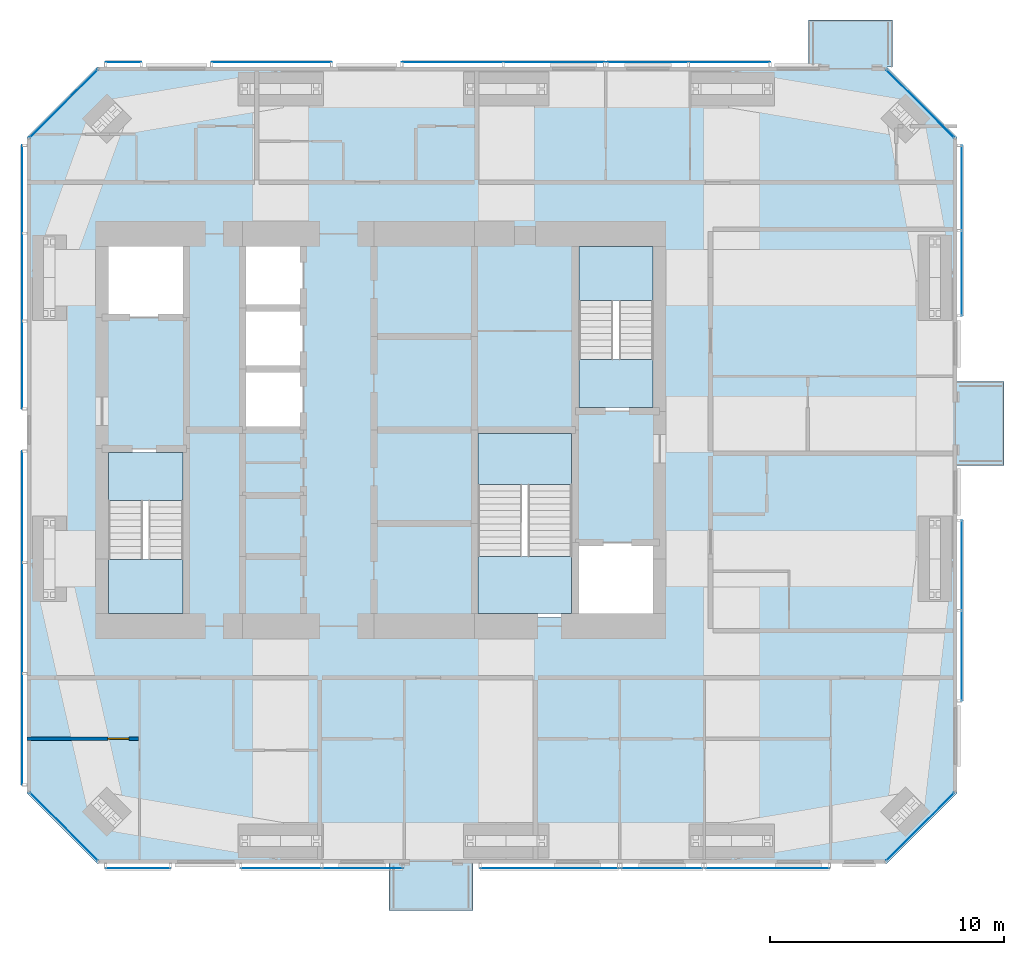
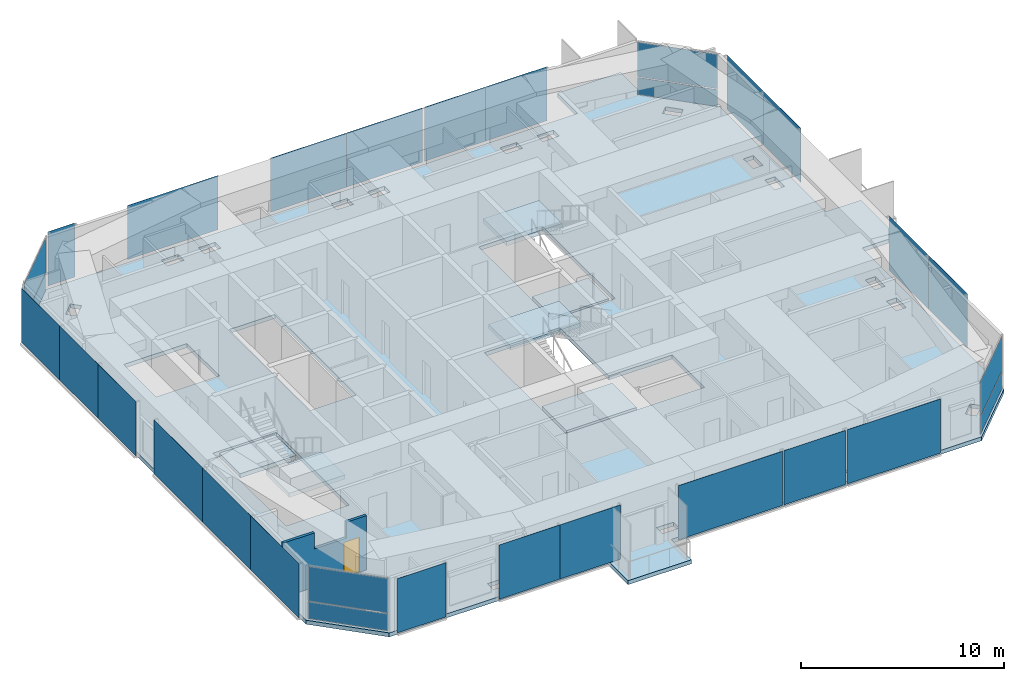
# One storey, part 11 of 18: 30 plates, 7 slabs, 1 door, 1 wall, 1 opening, 20 elements without a shape of their own.
"""IFC4 building model written with IfcOpenShell, lengths in metres."""

from ifc_helpers import new_model, si_unit, direction, frame, frame_2d, origin, origin_2d, place, context, subcontext, project, spatial, polyline, rectangle, outline, extrude, material, layer, layer_set, constituent, constituent_set, type_object, element, fill, aggregate, save


model = new_model("IFC4")

# Units and contexts
model_context = context("Model", 3, precision=1e-05, world=origin(), true_north=direction((0.0, 1.0)))
body_context = subcontext(model_context, "Body", "Model", "MODEL_VIEW")
ifc_project = project(units=[si_unit("LENGTHUNIT", "METRE"), si_unit("AREAUNIT", "SQUARE_METRE"), si_unit("VOLUMEUNIT", "CUBIC_METRE"), si_unit("PLANEANGLEUNIT", "RADIAN"), si_unit("MASSUNIT", "GRAM", prefix="KILO")], contexts=[model_context])

# Site, building, storey
site_placement = place(None, origin())
site = spatial("IfcSite", under=ifc_project, at=site_placement, CompositionType="ELEMENT")
building_placement = place(site_placement, origin())
building = spatial("IfcBuilding", under=site, at=building_placement, Name="Jalousie Tower", CompositionType="ELEMENT")
storey_placement = place(building_placement, frame((0.0, 0.0, 231.949951171875)))
storey = spatial("IfcBuildingStorey", under=building, at=storey_placement, Name="L63", CompositionType="ELEMENT", Elevation=231.949951171875)

# Curtain wall, plates
ifc_material_1 = material(Name="Aluminium curtain wall", Category="aluminium")
curtain_wall_type_1 = type_object("IfcCurtainWallType", Name="CORNER WINDOW WALL", PredefinedType="USERDEFINED", material=ifc_material_1)
curtain_wall_1_placement = place(storey_placement, origin())
curtain_wall_1 = element("IfcCurtainWall", 1, at=curtain_wall_1_placement, inside=storey, type_object=curtain_wall_type_1, Name="Corner Window Wall L63 2", ObjectType="CORNER WINDOW WALL", PredefinedType="USERDEFINED")
ifc_material_2 = material(Name="Laminated impact-rated spandrel glass", Category="glass")
ifc_layer_1 = layer(ifc_material_2, 0.028076171875)
ifc_layer_set_1 = layer_set([ifc_layer_1], Name="Laminated impact-rated spandrel glass")
plate_type_1 = type_object("IfcPlateType", Name="CORNER WINDOW WALL PANEL", PredefinedType="CURTAIN_PANEL", material=ifc_layer_set_1)
plate_1_placement = place(storey_placement, frame((54.9306640625, 1.5693359375, 0.06005859375), z_axis=(0.0, 0.0, 1.0), x_axis=(0.707106781187, 0.707106781187, 0.0)))
plate_1 = element("IfcPlate", 2, at=plate_1_placement, type_object=plate_type_1, Name="CW-C panel 1.1", PredefinedType="CURTAIN_PANEL", context=body_context, shape_type="SweptSolid", body=[
    extrude(rectangle(XDim=4.071533203125, YDim=0.028076171875, at=origin_2d()), origin(), (0.0, 0.0, 1.0), 1.010009765625),
])
plate_2_placement = place(storey_placement, frame((54.9306640625, 1.5693359375, 1.1298828125), z_axis=(0.0, 0.0, 1.0), x_axis=(0.707106781187, 0.707106781187, 0.0)))
plate_2 = element("IfcPlate", 3, at=plate_2_placement, type_object=plate_type_1, Name="CW-C panel 1.2", PredefinedType="CURTAIN_PANEL", context=body_context, shape_type="SweptSolid", body=[
    extrude(rectangle(XDim=4.071533203125, YDim=0.028076171875, at=origin_2d()), origin(), (0.0, 0.0, 1.0), 2.070068359375),
])
aggregate(curtain_wall_1, [plate_1, plate_2])

curtain_wall_2_placement = place(storey_placement, origin())
curtain_wall_2 = element("IfcCurtainWall", 4, at=curtain_wall_2_placement, inside=storey, type_object=curtain_wall_type_1, Name="Corner Window Wall L63 4", ObjectType="CORNER WINDOW WALL", PredefinedType="USERDEFINED")
plate_3_placement = place(storey_placement, frame((54.9306640625, 32.4306640625, 0.06005859375), z_axis=(0.0, 0.0, 1.0), x_axis=(-0.707106781187, 0.707106781187, 0.0)))
plate_3 = element("IfcPlate", 5, at=plate_3_placement, type_object=plate_type_1, Name="CW-C panel 1.1", PredefinedType="CURTAIN_PANEL", context=body_context, shape_type="SweptSolid", body=[
    extrude(rectangle(XDim=4.071533203125, YDim=0.028076171875, at=origin_2d()), origin(), (0.0, 0.0, 1.0), 1.010009765625),
])
plate_4_placement = place(storey_placement, frame((54.9306640625, 32.4306640625, 1.1298828125), z_axis=(0.0, 0.0, 1.0), x_axis=(-0.707106781187, 0.707106781187, 0.0)))
plate_4 = element("IfcPlate", 6, at=plate_4_placement, type_object=plate_type_1, Name="CW-C panel 1.2", PredefinedType="CURTAIN_PANEL", context=body_context, shape_type="SweptSolid", body=[
    extrude(rectangle(XDim=4.071533203125, YDim=0.028076171875, at=origin_2d()), origin(), (0.0, 0.0, 1.0), 2.070068359375),
])
aggregate(curtain_wall_2, [plate_3, plate_4])

curtain_wall_3_placement = place(storey_placement, origin())
curtain_wall_3 = element("IfcCurtainWall", 7, at=curtain_wall_3_placement, inside=storey, type_object=curtain_wall_type_1, Name="Corner Window Wall L63 6", ObjectType="CORNER WINDOW WALL", PredefinedType="USERDEFINED")
plate_5_placement = place(storey_placement, frame((18.369384765625, 32.4306640625, 0.06005859375), z_axis=(0.0, 0.0, 1.0), x_axis=(-0.707106781187, -0.707106781187, 0.0)))
plate_5 = element("IfcPlate", 8, at=plate_5_placement, type_object=plate_type_1, Name="CW-C panel 1.1", PredefinedType="CURTAIN_PANEL", context=body_context, shape_type="SweptSolid", body=[
    extrude(rectangle(XDim=4.071533203125, YDim=0.028076171875, at=origin_2d()), origin(), (0.0, 0.0, 1.0), 1.010009765625),
])
plate_6_placement = place(storey_placement, frame((18.369384765625, 32.4306640625, 1.1298828125), z_axis=(0.0, 0.0, 1.0), x_axis=(-0.707106781187, -0.707106781187, 0.0)))
plate_6 = element("IfcPlate", 9, at=plate_6_placement, type_object=plate_type_1, Name="CW-C panel 1.2", PredefinedType="CURTAIN_PANEL", context=body_context, shape_type="SweptSolid", body=[
    extrude(rectangle(XDim=4.071533203125, YDim=0.028076171875, at=origin_2d()), origin(), (0.0, 0.0, 1.0), 2.070068359375),
])
aggregate(curtain_wall_3, [plate_5, plate_6])

curtain_wall_4_placement = place(storey_placement, origin())
curtain_wall_4 = element("IfcCurtainWall", 10, at=curtain_wall_4_placement, inside=storey, type_object=curtain_wall_type_1, Name="Corner Window Wall L63 8", ObjectType="CORNER WINDOW WALL", PredefinedType="USERDEFINED")
plate_7_placement = place(storey_placement, frame((18.369384765625, 1.5693359375, 0.06005859375), z_axis=(0.0, 0.0, 1.0), x_axis=(0.707106781187, -0.707106781187, 0.0)))
plate_7 = element("IfcPlate", 11, at=plate_7_placement, type_object=plate_type_1, Name="CW-C panel 1.1", PredefinedType="CURTAIN_PANEL", context=body_context, shape_type="SweptSolid", body=[
    extrude(rectangle(XDim=4.071533203125, YDim=0.028076171875, at=origin_2d()), origin(), (0.0, 0.0, 1.0), 1.010009765625),
])
plate_8_placement = place(storey_placement, frame((18.369384765625, 1.5693359375, 1.1298828125), z_axis=(0.0, 0.0, 1.0), x_axis=(0.707106781187, -0.707106781187, 0.0)))
plate_8 = element("IfcPlate", 12, at=plate_8_placement, type_object=plate_type_1, Name="CW-C panel 1.2", PredefinedType="CURTAIN_PANEL", context=body_context, shape_type="SweptSolid", body=[
    extrude(rectangle(XDim=4.071533203125, YDim=0.028076171875, at=origin_2d()), origin(), (0.0, 0.0, 1.0), 2.070068359375),
])
aggregate(curtain_wall_4, [plate_7, plate_8])

# Slab
ifc_material_3 = material(Name="Concrete f'c 40 MPa", Category="concrete")
ifc_layer_2 = layer(ifc_material_3, 0.239990234375)
ifc_layer_set_2 = layer_set([ifc_layer_2], Name="Concrete f'c 40 MPa")
slab_type_1 = type_object("IfcSlabType", Name="FLOOR SLAB 240", PredefinedType="FLOOR", material=ifc_layer_set_2)
slab_1_placement = place(storey_placement, frame((0.0, 0.0, -0.239990234375)))
element("IfcSlab", 13, at=slab_1_placement, inside=storey, type_object=slab_type_1, Name="L63 floor slab", PredefinedType="FLOOR", context=body_context, shape_type="SweptSolid", body=[
    extrude(outline(polyline([(19.800048828125, 34.0), (50.148681640625, 34.0), (50.148681640625, 36.0), (53.748779296875, 36.0), (53.748779296875, 34.0), (53.5, 34.0), (56.5, 31.0), (56.5, 20.574951171875), (58.5, 20.574951171875), (58.5, 16.97509765625), (56.5, 16.97509765625), (56.5, 3.0), (53.5, 0.0), (35.840087890625, 0.0), (35.840087890625, -2.0), (32.239990234375, -2.0), (32.239990234375, 0.0), (19.800048828125, 0.0), (16.800048828125, 3.0), (16.800048828125, 31.0), (19.800048828125, 34.0)]), holes=[polyline([(55.263916015625, 24.425537109375), (55.263916015625, 23.47509765625), (55.836181640625, 23.47509765625), (55.836181640625, 24.425537109375), (55.263916015625, 24.425537109375)]), polyline([(55.263916015625, 14.52490234375), (55.263916015625, 13.574462890625), (55.836181640625, 13.574462890625), (55.836181640625, 14.52490234375), (55.263916015625, 14.52490234375)]), polyline([(55.263916015625, 12.425537109375), (55.263916015625, 11.47509765625), (55.836181640625, 11.47509765625), (55.836181640625, 12.425537109375), (55.263916015625, 12.425537109375)]), polyline([(55.263916015625, 25.574462890625), (55.836181640625, 25.574462890625), (55.836181640625, 26.52490234375), (55.263916015625, 26.52490234375), (55.263916015625, 25.574462890625)]), polyline([(54.40869140625, 2.727783203125), (53.772216796875, 2.09130859375), (54.177001953125, 1.6865234375), (54.8134765625, 2.322998046875), (54.40869140625, 2.727783203125)]), polyline([(54.8134765625, 31.677001953125), (54.177001953125, 32.3134765625), (53.772216796875, 31.90869140625), (54.40869140625, 31.272216796875), (54.8134765625, 31.677001953125)]), polyline([(48.39990234375, 32.763916015625), (48.39990234375, 33.336181640625), (47.449462890625, 33.336181640625), (47.449462890625, 32.763916015625), (48.39990234375, 32.763916015625)]), polyline([(48.39990234375, 0.663818359375), (48.39990234375, 1.236083984375), (47.449462890625, 1.236083984375), (47.449462890625, 0.663818359375), (48.39990234375, 0.663818359375)]), polyline([(45.35009765625, 1.236083984375), (45.35009765625, 0.663818359375), (46.300537109375, 0.663818359375), (46.300537109375, 1.236083984375), (45.35009765625, 1.236083984375)]), polyline([(45.35009765625, 32.763916015625), (46.300537109375, 32.763916015625), (46.300537109375, 33.336181640625), (45.35009765625, 33.336181640625), (45.35009765625, 32.763916015625)]), polyline([(40.199951171875, 26.5), (40.199951171875, 19.300048828125), (43.800048828125, 19.300048828125), (43.800048828125, 26.5), (40.199951171875, 26.5)]), polyline([(40.199951171875, 13.699951171875), (40.199951171875, 18.5), (35.89990234375, 18.5), (35.89990234375, 10.5), (43.800048828125, 10.5), (43.800048828125, 13.699951171875), (40.199951171875, 13.699951171875)]), polyline([(38.77490234375, 33.336181640625), (37.824462890625, 33.336181640625), (37.824462890625, 32.763916015625), (38.77490234375, 32.763916015625), (38.77490234375, 33.336181640625)]), polyline([(38.77490234375, 1.236083984375), (37.824462890625, 1.236083984375), (37.824462890625, 0.663818359375), (38.77490234375, 0.663818359375), (38.77490234375, 1.236083984375)]), polyline([(35.72509765625, 32.763916015625), (36.675537109375, 32.763916015625), (36.675537109375, 33.336181640625), (35.72509765625, 33.336181640625), (35.72509765625, 32.763916015625)]), polyline([(35.72509765625, 0.663818359375), (36.675537109375, 0.663818359375), (36.675537109375, 1.236083984375), (35.72509765625, 1.236083984375), (35.72509765625, 0.663818359375)]), polyline([(29.14990234375, 1.236083984375), (28.199462890625, 1.236083984375), (28.199462890625, 0.663818359375), (29.14990234375, 0.663818359375), (29.14990234375, 1.236083984375)]), polyline([(28.199462890625, 32.763916015625), (29.14990234375, 32.763916015625), (29.14990234375, 33.336181640625), (28.199462890625, 33.336181640625), (28.199462890625, 32.763916015625)]), polyline([(26.0, 26.5), (26.0, 18.5), (28.60009765625, 18.5), (28.60009765625, 26.5), (26.0, 26.5)]), polyline([(27.050537109375, 33.336181640625), (26.10009765625, 33.336181640625), (26.10009765625, 32.763916015625), (27.050537109375, 32.763916015625), (27.050537109375, 33.336181640625)]), polyline([(27.050537109375, 1.236083984375), (26.10009765625, 1.236083984375), (26.10009765625, 0.663818359375), (27.050537109375, 0.663818359375), (27.050537109375, 1.236083984375)]), polyline([(20.0, 26.5), (20.0, 23.300048828125), (23.60009765625, 23.300048828125), (23.60009765625, 26.5), (20.0, 26.5)]), polyline([(20.0, 17.699951171875), (20.0, 10.5), (23.60009765625, 10.5), (23.60009765625, 17.699951171875), (20.0, 17.699951171875)]), polyline([(20.727783203125, 2.09130859375), (20.09130859375, 2.727783203125), (19.6865234375, 2.322998046875), (20.322998046875, 1.6865234375), (20.727783203125, 2.09130859375)]), polyline([(20.727783203125, 31.90869140625), (20.322998046875, 32.3134765625), (19.6865234375, 31.677001953125), (20.09130859375, 31.272216796875), (20.727783203125, 31.90869140625)]), polyline([(17.4638671875, 26.52490234375), (17.4638671875, 25.574462890625), (18.0361328125, 25.574462890625), (18.0361328125, 26.52490234375), (17.4638671875, 26.52490234375)]), polyline([(17.4638671875, 12.425537109375), (17.4638671875, 11.47509765625), (18.0361328125, 11.47509765625), (18.0361328125, 12.425537109375), (17.4638671875, 12.425537109375)]), polyline([(18.0361328125, 23.47509765625), (18.0361328125, 24.425537109375), (17.4638671875, 24.425537109375), (17.4638671875, 23.47509765625), (18.0361328125, 23.47509765625)]), polyline([(17.4638671875, 13.574462890625), (18.0361328125, 13.574462890625), (18.0361328125, 14.52490234375), (17.4638671875, 14.52490234375), (17.4638671875, 13.574462890625)])]), origin(), (0.0, 0.0, 1.0), 0.239990234375),
])

# Curtain wall, plate
ifc_material_4 = material(Name="Perforated aluminium sheet", Category="aluminium")
curtain_wall_type_2 = type_object("IfcCurtainWallType", Name="SOLAR SCREEN SS-2", PredefinedType="USERDEFINED", material=ifc_material_4)
curtain_wall_5_placement = place(storey_placement, origin())
curtain_wall_5 = element("IfcCurtainWall", 14, at=curtain_wall_5_placement, inside=storey, type_object=curtain_wall_type_2, Name="Solar screen L63", ObjectType="SOLAR SCREEN SS-2", PredefinedType="USERDEFINED")
ifc_material_5 = material(Name="Perforated aluminium sheet", Category="aluminium")
ifc_layer_3 = layer(ifc_material_5, 0.006103515625)
ifc_layer_set_3 = layer_set([ifc_layer_3], Name="Perforated aluminium sheet")
plate_type_2 = type_object("IfcPlateType", Name="SOLAR SCREEN SS-2 PANEL", PredefinedType="CURTAIN_PANEL", material=ifc_layer_set_3)
plate_9_placement = place(storey_placement, frame((21.53759765625, -0.201171875, 0.0), z_axis=(0.0, 0.0, 1.0), x_axis=(1.0, 0.0, 0.0)))
plate_9 = element("IfcPlate", 15, at=plate_9_placement, type_object=plate_type_2, Name="SS2 perforated panel 1", PredefinedType="CURTAIN_PANEL", context=body_context, shape_type="SweptSolid", body=[
    extrude(rectangle(XDim=2.7724609375, YDim=0.006103515625, at=origin_2d()), origin(), (0.0, 0.0, 1.0), 3.260009765625),
])
aggregate(curtain_wall_5, [plate_9])

# Curtain wall, plates
curtain_wall_6_placement = place(storey_placement, origin())
curtain_wall_6 = element("IfcCurtainWall", 16, at=curtain_wall_6_placement, inside=storey, type_object=curtain_wall_type_2, Name="Solar screen L63", ObjectType="SOLAR SCREEN SS-2", PredefinedType="USERDEFINED")
plate_10_placement = place(storey_placement, frame((27.6552734375, -0.201171875, 0.0), z_axis=(0.0, 0.0, 1.0), x_axis=(1.0, 0.0, 0.0)))
plate_10 = element("IfcPlate", 17, at=plate_10_placement, type_object=plate_type_2, Name="SS2 perforated panel 1", PredefinedType="CURTAIN_PANEL", context=body_context, shape_type="SweptSolid", body=[
    extrude(rectangle(XDim=3.463134765625, YDim=0.006103515625, at=origin_2d()), origin(), (0.0, 0.0, 1.0), 3.260009765625),
])
plate_11_placement = place(storey_placement, frame((31.118408203125, -0.201171875, 0.0), z_axis=(0.0, 0.0, 1.0), x_axis=(1.0, 0.0, 0.0)))
plate_11 = element("IfcPlate", 18, at=plate_11_placement, type_object=plate_type_2, Name="SS2 perforated panel 2", PredefinedType="CURTAIN_PANEL", context=body_context, shape_type="SweptSolid", body=[
    extrude(rectangle(XDim=3.463134765625, YDim=0.006103515625, at=origin_2d()), origin(), (0.0, 0.0, 1.0), 3.260009765625),
])
aggregate(curtain_wall_6, [plate_10, plate_11])

# Curtain wall, plate
curtain_wall_7_placement = place(storey_placement, origin())
curtain_wall_7 = element("IfcCurtainWall", 19, at=curtain_wall_7_placement, inside=storey, type_object=curtain_wall_type_2, Name="Solar screen L63", ObjectType="SOLAR SCREEN SS-2", PredefinedType="USERDEFINED")
plate_12_placement = place(storey_placement, frame((39.094970703125, -0.201171875, 0.0), z_axis=(0.0, 0.0, 1.0), x_axis=(1.0, 0.0, 0.0)))
plate_12 = element("IfcPlate", 20, at=plate_12_placement, type_object=plate_type_2, Name="SS2 perforated panel 1", PredefinedType="CURTAIN_PANEL", context=body_context, shape_type="SweptSolid", body=[
    extrude(rectangle(XDim=5.909912109375, YDim=0.006103515625, at=origin_2d()), origin(), (0.0, 0.0, 1.0), 3.260009765625),
])
aggregate(curtain_wall_7, [plate_12])

curtain_wall_8_placement = place(storey_placement, origin())
curtain_wall_8 = element("IfcCurtainWall", 21, at=curtain_wall_8_placement, inside=storey, type_object=curtain_wall_type_2, Name="Solar screen L63", ObjectType="SOLAR SCREEN SS-2", PredefinedType="USERDEFINED")
plate_13_placement = place(storey_placement, frame((43.89990234375, -0.201171875, 0.0), z_axis=(0.0, 0.0, 1.0), x_axis=(1.0, 0.0, 0.0)))
plate_13 = element("IfcPlate", 22, at=plate_13_placement, type_object=plate_type_2, Name="SS2 perforated panel 1", PredefinedType="CURTAIN_PANEL", context=body_context, shape_type="SweptSolid", body=[
    extrude(rectangle(XDim=3.5, YDim=0.006103515625, at=origin_2d()), origin(), (0.0, 0.0, 1.0), 3.260009765625),
])
aggregate(curtain_wall_8, [plate_13])

curtain_wall_9_placement = place(storey_placement, origin())
curtain_wall_9 = element("IfcCurtainWall", 23, at=curtain_wall_9_placement, inside=storey, type_object=curtain_wall_type_2, Name="Solar screen L63", ObjectType="SOLAR SCREEN SS-2", PredefinedType="USERDEFINED")
plate_14_placement = place(storey_placement, frame((48.39990234375, -0.201171875, 0.0), z_axis=(0.0, 0.0, 1.0), x_axis=(1.0, 0.0, 0.0)))
plate_14 = element("IfcPlate", 24, at=plate_14_placement, type_object=plate_type_2, Name="SS2 perforated panel 1", PredefinedType="CURTAIN_PANEL", context=body_context, shape_type="SweptSolid", body=[
    extrude(rectangle(XDim=5.300048828125, YDim=0.006103515625, at=origin_2d()), origin(), (0.0, 0.0, 1.0), 3.260009765625),
])
aggregate(curtain_wall_9, [plate_14])

# Curtain wall, plates
curtain_wall_10_placement = place(storey_placement, origin())
curtain_wall_10 = element("IfcCurtainWall", 25, at=curtain_wall_10_placement, inside=storey, type_object=curtain_wall_type_2, Name="Solar screen L63", ObjectType="SOLAR SCREEN SS-2", PredefinedType="USERDEFINED")
plate_15_placement = place(storey_placement, frame((56.701171875, 8.86572265625, 0.0), z_axis=(0.0, 0.0, 1.0), x_axis=(0.0, 1.0, 0.0)))
plate_15 = element("IfcPlate", 26, at=plate_15_placement, type_object=plate_type_2, Name="SS2 perforated panel 1", PredefinedType="CURTAIN_PANEL", context=body_context, shape_type="SweptSolid", body=[
    extrude(rectangle(XDim=3.855224609375, YDim=0.006103515625, at=origin_2d()), origin(), (0.0, 0.0, 1.0), 3.260009765625),
])
plate_16_placement = place(storey_placement, frame((56.701171875, 12.720947265625, 0.0), z_axis=(0.0, 0.0, 1.0), x_axis=(0.0, 1.0, 0.0)))
plate_16 = element("IfcPlate", 27, at=plate_16_placement, type_object=plate_type_2, Name="SS2 perforated panel 2", PredefinedType="CURTAIN_PANEL", context=body_context, shape_type="SweptSolid", body=[
    extrude(rectangle(XDim=3.855224609375, YDim=0.006103515625, at=origin_2d()), origin(), (0.0, 0.0, 1.0), 3.260009765625),
])
aggregate(curtain_wall_10, [plate_15, plate_16])

curtain_wall_11_placement = place(storey_placement, origin())
curtain_wall_11 = element("IfcCurtainWall", 28, at=curtain_wall_11_placement, inside=storey, type_object=curtain_wall_type_2, Name="Solar screen L63", ObjectType="SOLAR SCREEN SS-2", PredefinedType="USERDEFINED")
plate_17_placement = place(storey_placement, frame((56.701171875, 25.193359375, 0.0), z_axis=(0.0, 0.0, 1.0), x_axis=(0.0, 1.0, 0.0)))
plate_17 = element("IfcPlate", 29, at=plate_17_placement, type_object=plate_type_2, Name="SS2 perforated panel 1", PredefinedType="CURTAIN_PANEL", context=body_context, shape_type="SweptSolid", body=[
    extrude(rectangle(XDim=3.636962890625, YDim=0.006103515625, at=origin_2d()), origin(), (0.0, 0.0, 1.0), 3.260009765625),
])
plate_18_placement = place(storey_placement, frame((56.701171875, 28.830322265625, 0.0), z_axis=(0.0, 0.0, 1.0), x_axis=(0.0, 1.0, 0.0)))
plate_18 = element("IfcPlate", 30, at=plate_18_placement, type_object=plate_type_2, Name="SS2 perforated panel 2", PredefinedType="CURTAIN_PANEL", context=body_context, shape_type="SweptSolid", body=[
    extrude(rectangle(XDim=3.636962890625, YDim=0.006103515625, at=origin_2d()), origin(), (0.0, 0.0, 1.0), 3.260009765625),
])
aggregate(curtain_wall_11, [plate_17, plate_18])

curtain_wall_12_placement = place(storey_placement, origin())
curtain_wall_12 = element("IfcCurtainWall", 31, at=curtain_wall_12_placement, inside=storey, type_object=curtain_wall_type_2, Name="Solar screen L63", ObjectType="SOLAR SCREEN SS-2", PredefinedType="USERDEFINED")
plate_19_placement = place(storey_placement, frame((46.772705078125, 34.201171875, 0.0), z_axis=(0.0, 0.0, 1.0), x_axis=(-1.0, 0.0, 0.0)))
plate_19 = element("IfcPlate", 32, at=plate_19_placement, type_object=plate_type_2, Name="SS2 perforated panel 1", PredefinedType="CURTAIN_PANEL", context=body_context, shape_type="SweptSolid", body=[
    extrude(rectangle(XDim=3.481689453125, YDim=0.006103515625, at=origin_2d()), origin(), (0.0, 0.0, 1.0), 3.260009765625),
])
plate_20_placement = place(storey_placement, frame((43.291015625, 34.201171875, 0.0), z_axis=(0.0, 0.0, 1.0), x_axis=(-1.0, 0.0, 0.0)))
plate_20 = element("IfcPlate", 33, at=plate_20_placement, type_object=plate_type_2, Name="SS2 perforated panel 2", PredefinedType="CURTAIN_PANEL", context=body_context, shape_type="SweptSolid", body=[
    extrude(rectangle(XDim=3.481689453125, YDim=0.006103515625, at=origin_2d()), origin(), (0.0, 0.0, 1.0), 3.260009765625),
])
aggregate(curtain_wall_12, [plate_19, plate_20])

curtain_wall_13_placement = place(storey_placement, origin())
curtain_wall_13 = element("IfcCurtainWall", 34, at=curtain_wall_13_placement, inside=storey, type_object=curtain_wall_type_2, Name="Solar screen L63", ObjectType="SOLAR SCREEN SS-2", PredefinedType="USERDEFINED")
plate_21_placement = place(storey_placement, frame((39.28759765625, 34.201171875, 0.0), z_axis=(0.0, 0.0, 1.0), x_axis=(-1.0, 0.0, 0.0)))
plate_21 = element("IfcPlate", 35, at=plate_21_placement, type_object=plate_type_2, Name="SS2 perforated panel 1", PredefinedType="CURTAIN_PANEL", context=body_context, shape_type="SweptSolid", body=[
    extrude(rectangle(XDim=4.324951171875, YDim=0.006103515625, at=origin_2d()), origin(), (0.0, 0.0, 1.0), 3.260009765625),
])
plate_22_placement = place(storey_placement, frame((34.96240234375, 34.201171875, 0.0), z_axis=(0.0, 0.0, 1.0), x_axis=(-1.0, 0.0, 0.0)))
plate_22 = element("IfcPlate", 36, at=plate_22_placement, type_object=plate_type_2, Name="SS2 perforated panel 2", PredefinedType="CURTAIN_PANEL", context=body_context, shape_type="SweptSolid", body=[
    extrude(rectangle(XDim=4.324951171875, YDim=0.006103515625, at=origin_2d()), origin(), (0.0, 0.0, 1.0), 3.260009765625),
])
aggregate(curtain_wall_13, [plate_21, plate_22])

# Curtain wall, plate
curtain_wall_14_placement = place(storey_placement, origin())
curtain_wall_14 = element("IfcCurtainWall", 37, at=curtain_wall_14_placement, inside=storey, type_object=curtain_wall_type_2, Name="Solar screen L63", ObjectType="SOLAR SCREEN SS-2", PredefinedType="USERDEFINED")
plate_23_placement = place(storey_placement, frame((27.23779296875, 34.201171875, 0.0), z_axis=(0.0, 0.0, 1.0), x_axis=(-1.0, 0.0, 0.0)))
plate_23 = element("IfcPlate", 38, at=plate_23_placement, type_object=plate_type_2, Name="SS2 perforated panel 1", PredefinedType="CURTAIN_PANEL", context=body_context, shape_type="SweptSolid", body=[
    extrude(rectangle(XDim=5.12451171875, YDim=0.006103515625, at=origin_2d()), origin(), (0.0, 0.0, 1.0), 3.260009765625),
])
aggregate(curtain_wall_14, [plate_23])

curtain_wall_15_placement = place(storey_placement, origin())
curtain_wall_15 = element("IfcCurtainWall", 39, at=curtain_wall_15_placement, inside=storey, type_object=curtain_wall_type_2, Name="Solar screen L63", ObjectType="SOLAR SCREEN SS-2", PredefinedType="USERDEFINED")
plate_24_placement = place(storey_placement, frame((20.913330078125, 34.201171875, 0.0), z_axis=(0.0, 0.0, 1.0), x_axis=(-1.0, 0.0, 0.0)))
plate_24 = element("IfcPlate", 40, at=plate_24_placement, type_object=plate_type_2, Name="SS2 perforated panel 1", PredefinedType="CURTAIN_PANEL", context=body_context, shape_type="SweptSolid", body=[
    extrude(rectangle(XDim=1.5244140625, YDim=0.006103515625, at=origin_2d()), origin(), (0.0, 0.0, 1.0), 3.260009765625),
])
aggregate(curtain_wall_15, [plate_24])

# Curtain wall, plates
curtain_wall_16_placement = place(storey_placement, origin())
curtain_wall_16 = element("IfcCurtainWall", 41, at=curtain_wall_16_placement, inside=storey, type_object=curtain_wall_type_2, Name="Solar screen L63", ObjectType="SOLAR SCREEN SS-2", PredefinedType="USERDEFINED")
plate_25_placement = place(storey_placement, frame((16.598876953125, 28.77392578125, 0.0), z_axis=(0.0, 0.0, 1.0), x_axis=(0.0, -1.0, 0.0)))
plate_25 = element("IfcPlate", 42, at=plate_25_placement, type_object=plate_type_2, Name="SS2 perforated panel 1", PredefinedType="CURTAIN_PANEL", context=body_context, shape_type="SweptSolid", body=[
    extrude(rectangle(XDim=3.74951171875, YDim=0.006103515625, at=origin_2d()), origin(), (0.0, 0.0, 1.0), 3.260009765625),
])
plate_26_placement = place(storey_placement, frame((16.598876953125, 25.0244140625, 0.0), z_axis=(0.0, 0.0, 1.0), x_axis=(0.0, -1.0, 0.0)))
plate_26 = element("IfcPlate", 43, at=plate_26_placement, type_object=plate_type_2, Name="SS2 perforated panel 2", PredefinedType="CURTAIN_PANEL", context=body_context, shape_type="SweptSolid", body=[
    extrude(rectangle(XDim=3.74951171875, YDim=0.006103515625, at=origin_2d()), origin(), (0.0, 0.0, 1.0), 3.260009765625),
])
plate_27_placement = place(storey_placement, frame((16.598876953125, 21.27490234375, 0.0), z_axis=(0.0, 0.0, 1.0), x_axis=(0.0, -1.0, 0.0)))
plate_27 = element("IfcPlate", 44, at=plate_27_placement, type_object=plate_type_2, Name="SS2 perforated panel 3", PredefinedType="CURTAIN_PANEL", context=body_context, shape_type="SweptSolid", body=[
    extrude(rectangle(XDim=3.74951171875, YDim=0.006103515625, at=origin_2d()), origin(), (0.0, 0.0, 1.0), 3.260009765625),
])
aggregate(curtain_wall_16, [plate_25, plate_26, plate_27])

curtain_wall_17_placement = place(storey_placement, origin())
curtain_wall_17 = element("IfcCurtainWall", 45, at=curtain_wall_17_placement, inside=storey, type_object=curtain_wall_type_2, Name="Solar screen L63", ObjectType="SOLAR SCREEN SS-2", PredefinedType="USERDEFINED")
plate_28_placement = place(storey_placement, frame((16.598876953125, 15.22509765625, 0.0), z_axis=(0.0, 0.0, 1.0), x_axis=(0.0, -1.0, 0.0)))
plate_28 = element("IfcPlate", 46, at=plate_28_placement, type_object=plate_type_2, Name="SS2 perforated panel 1", PredefinedType="CURTAIN_PANEL", context=body_context, shape_type="SweptSolid", body=[
    extrude(rectangle(XDim=4.74951171875, YDim=0.006103515625, at=origin_2d()), origin(), (0.0, 0.0, 1.0), 3.260009765625),
])
plate_29_placement = place(storey_placement, frame((16.598876953125, 10.4755859375, 0.0), z_axis=(0.0, 0.0, 1.0), x_axis=(0.0, -1.0, 0.0)))
plate_29 = element("IfcPlate", 47, at=plate_29_placement, type_object=plate_type_2, Name="SS2 perforated panel 2", PredefinedType="CURTAIN_PANEL", context=body_context, shape_type="SweptSolid", body=[
    extrude(rectangle(XDim=4.74951171875, YDim=0.006103515625, at=origin_2d()), origin(), (0.0, 0.0, 1.0), 3.260009765625),
])
plate_30_placement = place(storey_placement, frame((16.598876953125, 5.72607421875, 0.0), z_axis=(0.0, 0.0, 1.0), x_axis=(0.0, -1.0, 0.0)))
plate_30 = element("IfcPlate", 48, at=plate_30_placement, type_object=plate_type_2, Name="SS2 perforated panel 3", PredefinedType="CURTAIN_PANEL", context=body_context, shape_type="SweptSolid", body=[
    extrude(rectangle(XDim=4.74951171875, YDim=0.006103515625, at=origin_2d()), origin(), (0.0, 0.0, 1.0), 3.260009765625),
])
aggregate(curtain_wall_17, [plate_28, plate_29, plate_30])

# Stair, slabs
ifc_material_6 = material(Name="Concrete f'c 40 MPa", Category="concrete")
stair_type = type_object("IfcStairType", Name="EXIT STAIR", PredefinedType="HALF_TURN_STAIR", material=ifc_material_6)
stair_1_placement = place(storey_placement, origin())
stair_1 = element("IfcStair", 49, at=stair_1_placement, inside=storey, type_object=stair_type, Name="Exit stair A L63", PredefinedType="HALF_TURN_STAIR")
ifc_material_7 = material(Name="Concrete f'c 40 MPa", Category="concrete")
ifc_layer_4 = layer(ifc_material_7, 0.25)
ifc_layer_set_4 = layer_set([ifc_layer_4], Name="Concrete f'c 40 MPa")
slab_type_2 = type_object("IfcSlabType", Name="STAIR LANDING 250", PredefinedType="LANDING", material=ifc_layer_set_4)
slab_2_placement = place(storey_placement, frame((0.0, 0.0, -0.25)))
slab_2 = element("IfcSlab", 50, at=slab_2_placement, type_object=slab_type_2, Name="ST-A landing 1", PredefinedType="LANDING", context=body_context, shape_type="SweptSolid", body=[
    extrude(outline(polyline([(20.27490234375, 15.49755859375), (23.449951171875, 15.49755859375), (23.449951171875, 17.550048828125), (20.27490234375, 17.550048828125), (20.27490234375, 15.49755859375)])), origin(), (0.0, 0.0, 1.0), 0.25),
])
slab_3_placement = place(storey_placement, frame((0.0, 0.0, 1.5)))
slab_3 = element("IfcSlab", 51, at=slab_3_placement, type_object=slab_type_2, Name="ST-A landing 2", PredefinedType="LANDING", context=body_context, shape_type="SweptSolid", body=[
    extrude(outline(polyline([(20.27490234375, 10.675048828125), (23.449951171875, 10.675048828125), (23.449951171875, 12.9775390625), (20.27490234375, 12.9775390625), (20.27490234375, 10.675048828125)])), origin(), (0.0, 0.0, 1.0), 0.25),
])
aggregate(stair_1, [slab_2, slab_3])

stair_2_placement = place(storey_placement, origin())
stair_2 = element("IfcStair", 52, at=stair_2_placement, inside=storey, type_object=stair_type, Name="Exit stair B L63", PredefinedType="HALF_TURN_STAIR")
slab_4_placement = place(storey_placement, frame((0.0, 0.0, -0.25)))
slab_4 = element("IfcSlab", 53, at=slab_4_placement, type_object=slab_type_2, Name="ST-B landing 1", PredefinedType="LANDING", context=body_context, shape_type="SweptSolid", body=[
    extrude(outline(polyline([(40.35009765625, 19.449951171875), (43.52490234375, 19.449951171875), (43.52490234375, 21.50244140625), (40.35009765625, 21.50244140625), (40.35009765625, 19.449951171875)])), origin(), (0.0, 0.0, 1.0), 0.25),
])
slab_5_placement = place(storey_placement, frame((0.0, 0.0, 1.5)))
slab_5 = element("IfcSlab", 54, at=slab_5_placement, type_object=slab_type_2, Name="ST-B landing 2", PredefinedType="LANDING", context=body_context, shape_type="SweptSolid", body=[
    extrude(outline(polyline([(40.35009765625, 24.0224609375), (43.52490234375, 24.0224609375), (43.52490234375, 26.324951171875), (40.35009765625, 26.324951171875), (40.35009765625, 24.0224609375)])), origin(), (0.0, 0.0, 1.0), 0.25),
])
aggregate(stair_2, [slab_4, slab_5])

stair_3_placement = place(storey_placement, origin())
stair_3 = element("IfcStair", 55, at=stair_3_placement, inside=storey, type_object=stair_type, Name="Exit stair C L63", PredefinedType="HALF_TURN_STAIR")
slab_6_placement = place(storey_placement, frame((0.0, 0.0, -0.25)))
slab_6 = element("IfcSlab", 56, at=slab_6_placement, type_object=slab_type_2, Name="ST-C landing 1", PredefinedType="LANDING", context=body_context, shape_type="SweptSolid", body=[
    extrude(outline(polyline([(36.050048828125, 10.675048828125), (40.050048828125, 10.675048828125), (40.050048828125, 13.097412109375), (36.050048828125, 13.097412109375), (36.050048828125, 10.675048828125)])), origin(), (0.0, 0.0, 1.0), 0.25),
])
slab_7_placement = place(storey_placement, frame((0.0, 0.0, 1.5)))
slab_7 = element("IfcSlab", 57, at=slab_7_placement, type_object=slab_type_2, Name="ST-C landing 2", PredefinedType="LANDING", context=body_context, shape_type="SweptSolid", body=[
    extrude(outline(polyline([(36.050048828125, 16.177490234375), (40.050048828125, 16.177490234375), (40.050048828125, 18.35009765625), (36.050048828125, 18.35009765625), (36.050048828125, 16.177490234375)])), origin(), (0.0, 0.0, 1.0), 0.25),
])
aggregate(stair_3, [slab_6, slab_7])

# Wall, opening, door
ifc_material_8 = material(Name="Concrete block ASTM C90", Category="concrete")
ifc_constituent_1 = constituent(ifc_material_8, Name="Body")
ifc_material_9 = material(Name="Render")
ifc_constituent_2 = constituent(ifc_material_9, Name="Finish")
ifc_constituent_set = constituent_set(constituents=[ifc_constituent_1, ifc_constituent_2])
wall_type = type_object("IfcWallType", Name="BATHROOM WALL 150", PredefinedType="PLUMBINGWALL", material=ifc_constituent_set)
wall_placement = place(storey_placement, frame((16.800048828125, 5.324951171875, 0.0), z_axis=(0.0, 0.0, 1.0), x_axis=(1.0, 0.0, 0.0)))
wall = element("IfcWall", 58, at=wall_placement, inside=storey, type_object=wall_type, Name="Bathroom Wall 150 L63", PredefinedType="PLUMBINGWALL", context=body_context, shape_type="SweptSolid", body=[
    extrude(outline(polyline([(0.0, 0.0), (4.75, 0.0), (4.75, 3.260009765625), (3.60498046875, 3.260009765625), (3.60498046875, 2.300048828125), (1.78955078125, 2.300048828125), (1.78955078125, 3.260009765625), (0.0, 3.260009765625), (0.0, 0.0)])), frame((0.0, 0.074951171875, 0.0), z_axis=(0.0, -1.0, 0.0), x_axis=(1.0, 0.0, 0.0)), (0.0, 0.0, 1.0), 0.14990234375),
])
opening_placement = place(wall_placement, frame((3.449951171875, 0.0, 0.0)))
opening = element("IfcOpeningElement", 59, at=opening_placement, cuts=wall, Name="Opening D3", PredefinedType="OPENING", context=body_context, shape_type="SweptSolid", body=[
    extrude(rectangle(XDim=0.89990234375, YDim=2.10009765625, at=frame_2d((0.449951171875, 1.050048828125))), frame((0.0, 0.0849609375, 0.0), z_axis=(0.0, -1.0, 0.0), x_axis=(1.0, 0.0, 0.0)), (0.0, 0.0, 1.0), 0.169921875),
])
ifc_material_10 = material(Name="Timber door", Category="wood")
door_type = type_object("IfcDoorType", Name="BATHROOM DOOR 900", OperationType="SINGLE_SWING_LEFT", PredefinedType="DOOR", material=ifc_material_10)
door_placement = place(opening_placement, origin())
door = element("IfcDoor", 60, at=door_placement, inside=storey, type_object=door_type, Name="Apartment 6301 bedroom 1 bathroom door", OperationType="SINGLE_SWING_RIGHT", OverallHeight=2.10009765625, OverallWidth=0.89990234375, PredefinedType="DOOR", context=body_context, shape_type="SweptSolid", body=[
    extrude(rectangle(XDim=0.89990234375, YDim=2.10009765625, at=frame_2d((0.449951171875, 1.050048828125))), frame((0.0, 0.02490234375, 0.0), z_axis=(0.0, -1.0, 0.0), x_axis=(1.0, 0.0, 0.0)), (0.0, 0.0, 1.0), 0.050048828125),
])
fill(opening, door)

save(model, "model.ifc")
